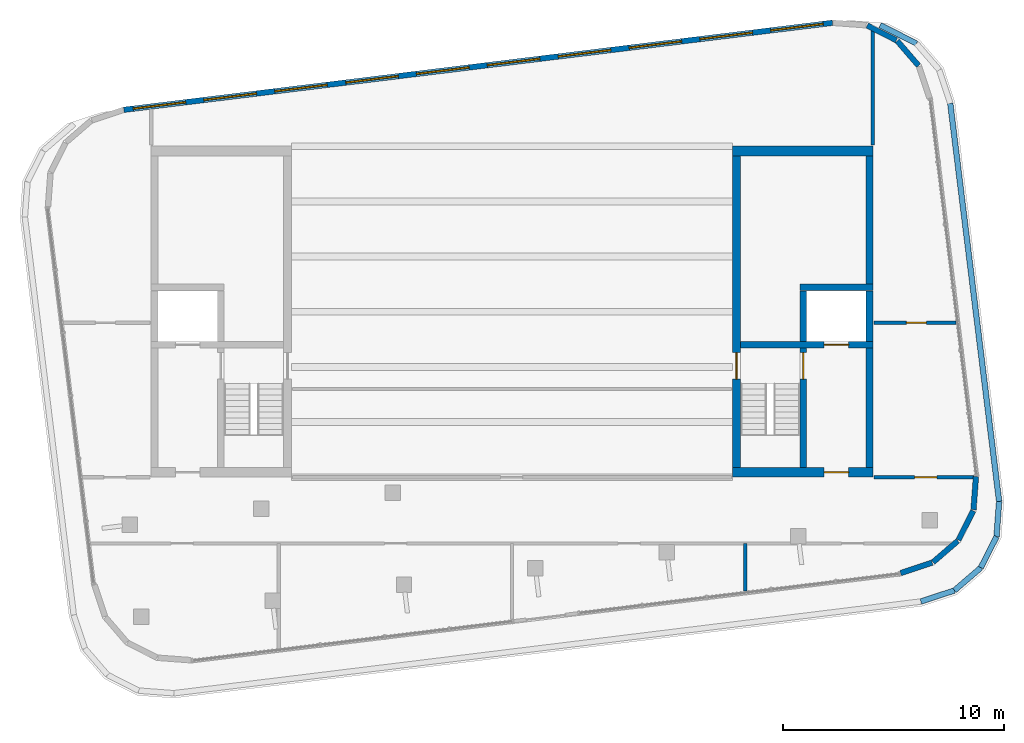
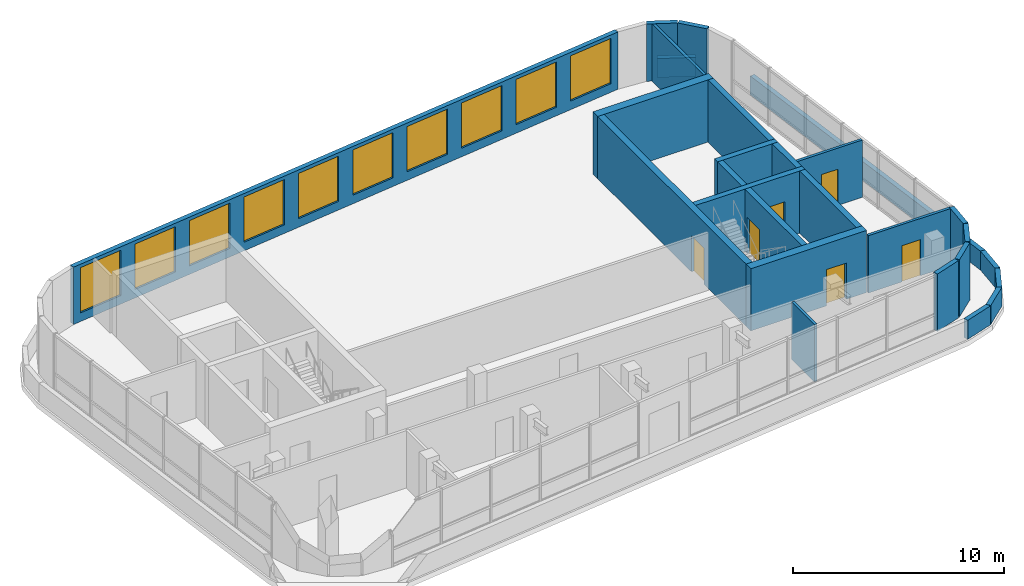
# One storey, part 6 of 8: 27 walls, 10 windows, 6 doors, 16 openings.
"""IFC4 building model written with IfcOpenShell, lengths in metres."""

from ifc_helpers import new_model, si_unit, direction, frame, frame_2d, origin, place, context, subcontext, project, spatial, rectangle, extrude, material, layer, layer_set, type_object, element, fill, save


model = new_model("IFC4")

# Units and contexts
model_context = context("Model", 3, precision=1e-05, world=origin(), true_north=direction((0.0, 1.0)))
body_context = subcontext(model_context, "Body", "Model", "MODEL_VIEW")
ifc_project = project(units=[si_unit("LENGTHUNIT", "METRE"), si_unit("AREAUNIT", "SQUARE_METRE"), si_unit("VOLUMEUNIT", "CUBIC_METRE"), si_unit("PLANEANGLEUNIT", "RADIAN"), si_unit("MASSUNIT", "GRAM", prefix="KILO")], contexts=[model_context])

# Site, building, storey
site_placement = place(None, origin())
site = spatial("IfcSite", under=ifc_project, at=site_placement, CompositionType="ELEMENT")
building_placement = place(site_placement, origin())
building = spatial("IfcBuilding", under=site, at=building_placement, Name="Torana Hotel and Residences", CompositionType="ELEMENT")
storey_placement = place(building_placement, frame((0.0, 0.0, 350.199951171875)))
storey = spatial("IfcBuildingStorey", under=building, at=storey_placement, Name="C2", CompositionType="ELEMENT", Elevation=350.199951171875)

# Walls
ifc_material_1 = material(Name="Concrete C50/60", Category="concrete")
ifc_layer_1 = layer(ifc_material_1, 0.300048828125)
ifc_layer_set_1 = layer_set([ifc_layer_1], Name="CORE WALL 300 C50/60")
wall_type_1 = type_object("IfcWallType", Name="CORE WALL 300 C50/60", PredefinedType="SHEAR", material=ifc_layer_set_1)
wall_1_placement = place(storey_placement, frame((16.199951171875, -6.25, 0.0), z_axis=(0.0, 0.0, 1.0), x_axis=(0.0, 1.0, 0.0)))
element("IfcWall", 1, at=wall_1_placement, inside=storey, type_object=wall_type_1, Name="Core wall E outer-n", PredefinedType="SHEAR", context=body_context, shape_type="SweptSolid", body=[
    extrude(rectangle(XDim=5.800048828125, YDim=0.300048828125, at=frame_2d((2.89990234375, 0.0))), origin(), (0.0, 0.0, 1.0), 3.60009765625),
])
wall_2_placement = place(storey_placement, frame((16.199951171875, -14.550048828125, 0.0), z_axis=(0.0, 0.0, 1.0), x_axis=(0.0, 1.0, 0.0)))
element("IfcWall", 2, at=wall_2_placement, inside=storey, type_object=wall_type_1, Name="Core wall E outer-s", PredefinedType="SHEAR", context=body_context, shape_type="SweptSolid", body=[
    extrude(rectangle(XDim=5.400146484375, YDim=0.300048828125, at=frame_2d((2.7001953125, 0.0))), origin(), (0.0, 0.0, 1.0), 3.60009765625),
])

# Wall, opening, door
wall_3_placement = place(storey_placement, frame((10.35009765625, -9.0, 0.0), z_axis=(0.0, 0.0, 1.0), x_axis=(1.0, 0.0, 0.0)))
wall_3 = element("IfcWall", 3, at=wall_3_placement, inside=storey, type_object=wall_type_1, Name="Core wall E band", PredefinedType="SHEAR", context=body_context, shape_type="SweptSolid", body=[
    extrude(rectangle(XDim=6.0, YDim=0.300048828125, at=frame_2d((3.0, 0.0))), origin(), (0.0, 0.0, 1.0), 3.60009765625),
])
opening_1_placement = place(wall_3_placement, frame((3.800048828125, 0.0, 0.0)))
opening_1 = element("IfcOpeningElement", 4, at=opening_1_placement, cuts=wall_3, Name="Opening LD", PredefinedType="OPENING", context=body_context, shape_type="SweptSolid", body=[
    extrude(rectangle(XDim=1.10009765625, YDim=2.10009765625, at=frame_2d((0.550048828125, 1.050048828125))), frame((0.0, 0.159912109375, 0.0), z_axis=(0.0, -1.0, 0.0), x_axis=(1.0, 0.0, 0.0)), (0.0, 0.0, 1.0), 0.320068359375),
])
ifc_material_2 = material(Name="Stainless steel 316", Category="steel")
door_type_1 = type_object("IfcDoorType", Name="LIFT LANDING DOOR LD 1100x2100", OperationType="DOUBLE_DOOR_SLIDING", PredefinedType="USERDEFINED", material=ifc_material_2)
door_1_placement = place(opening_1_placement, origin())
door_1 = element("IfcDoor", 5, at=door_1_placement, inside=storey, type_object=door_type_1, Name="Lift landing door FF2 C2", ObjectType="LIFT LANDING DOOR", OperationType="DOUBLE_DOOR_SLIDING", OverallHeight=2.10009765625, OverallWidth=1.10009765625, PredefinedType="USERDEFINED", context=body_context, shape_type="SweptSolid", body=[
    extrude(rectangle(XDim=1.10009765625, YDim=2.10009765625, at=frame_2d((0.550048828125, 1.050048828125))), frame((0.0, 0.02490234375, 0.0), z_axis=(0.0, -1.0, 0.0), x_axis=(1.0, 0.0, 0.0)), (0.0, 0.0, 1.0), 0.050048828125),
])
fill(opening_1, door_1)

wall_4_placement = place(storey_placement, frame((13.199951171875, -14.550048828125, 0.0), z_axis=(0.0, 0.0, 1.0), x_axis=(0.0, 1.0, 0.0)))
wall_4 = element("IfcWall", 6, at=wall_4_placement, inside=storey, type_object=wall_type_1, Name="Core wall E x3.05-band", PredefinedType="SHEAR", context=body_context, shape_type="SweptSolid", body=[
    extrude(rectangle(XDim=5.400146484375, YDim=0.300048828125, at=frame_2d((2.7001953125, 0.0))), origin(), (0.0, 0.0, 1.0), 3.60009765625),
])
opening_2_placement = place(wall_4_placement, frame((4.0, 0.0, 0.0)))
opening_2 = element("IfcOpeningElement", 7, at=opening_2_placement, cuts=wall_4, Name="Opening C2-06", PredefinedType="OPENING", context=body_context, shape_type="SweptSolid", body=[
    extrude(rectangle(XDim=1.199951171875, YDim=2.10009765625, at=frame_2d((0.60009765625, 1.050048828125))), frame((0.0, 0.159912109375, 0.0), z_axis=(0.0, -1.0, 0.0), x_axis=(1.0, 0.0, 0.0)), (0.0, 0.0, 1.0), 0.320068359375),
])
ifc_material_3 = material(Name="Steel S235", Category="steel")
door_type_2 = type_object("IfcDoorType", Name="STAIR FIRE DOOR D3 1200x2100", OperationType="SINGLE_SWING_LEFT", PredefinedType="DOOR", material=ifc_material_3)
door_2_placement = place(opening_2_placement, origin())
door_2 = element("IfcDoor", 8, at=door_2_placement, inside=storey, type_object=door_type_2, Name="Stair-A-lobby door C2", OperationType="SINGLE_SWING_LEFT", OverallHeight=2.10009765625, OverallWidth=1.199951171875, PredefinedType="DOOR", context=body_context, shape_type="SweptSolid", body=[
    extrude(rectangle(XDim=1.199951171875, YDim=2.10009765625, at=frame_2d((0.60009765625, 1.050048828125))), frame((0.0, 0.02490234375, 0.0), z_axis=(0.0, -1.0, 0.0), x_axis=(1.0, 0.0, 0.0)), (0.0, 0.0, 1.0), 0.050048828125),
])
fill(opening_2, door_2)

# Walls
wall_5_placement = place(storey_placement, frame((13.050048828125, -6.39990234375, 0.0), z_axis=(0.0, 0.0, 1.0), x_axis=(1.0, 0.0, 0.0)))
element("IfcWall", 9, at=wall_5_placement, inside=storey, type_object=wall_type_1, Name="Core wall E row-S", PredefinedType="SHEAR", context=body_context, shape_type="SweptSolid", body=[
    extrude(rectangle(XDim=3.300048828125, YDim=0.300048828125, at=frame_2d((1.64990234375, 0.0))), origin(), (0.0, 0.0, 1.0), 3.60009765625),
])
for number, where, z_axis, x_axis, name in (
    (10, (13.199951171875, -8.85009765625, 0.0), (0.0, 0.0, 1.0), (0.0, 1.0, 0.0), "Core wall E x3.05-S"),
    (11, (16.199951171875, -8.85009765625, 0.0), (0.0, 0.0, 1.0), (0.0, 1.0, 0.0), "Core wall E x6.05-S"),
):
    element("IfcWall", number, at=place(storey_placement, frame(where, z_axis=z_axis, x_axis=x_axis)), inside=storey, type_object=wall_type_1, Name=name, PredefinedType="SHEAR", context=body_context, shape_type="SweptSolid", body=[
        extrude(rectangle(XDim=2.300048828125, YDim=0.300048828125, at=frame_2d((1.14990234375, 0.0))), origin(), (0.0, 0.0, 1.0), 3.60009765625),
    ])

# Wall, opening, door
ifc_material_4 = material(Name="Concrete C50/60", Category="concrete")
ifc_layer_2 = layer(ifc_material_4, 0.35009765625)
ifc_layer_set_2 = layer_set([ifc_layer_2], Name="CORE WALL 350 C50/60")
wall_type_2 = type_object("IfcWallType", Name="CORE WALL 350 C50/60", PredefinedType="SHEAR", material=ifc_layer_set_2)
wall_6_placement = place(storey_placement, frame((10.175048828125, -14.550048828125, 0.0), z_axis=(0.0, 0.0, 1.0), x_axis=(0.0, 1.0, 0.0)))
wall_6 = element("IfcWall", 12, at=wall_6_placement, inside=storey, type_object=wall_type_2, Name="Core wall E arch", PredefinedType="SHEAR", context=body_context, shape_type="SweptSolid", body=[
    extrude(rectangle(XDim=14.10009765625, YDim=0.35009765625, at=frame_2d((7.050048828125, 0.0))), origin(), (0.0, 0.0, 1.0), 3.60009765625),
])
opening_3_placement = place(wall_6_placement, frame((4.0, 0.0, 0.0)))
opening_3 = element("IfcOpeningElement", 13, at=opening_3_placement, cuts=wall_6, Name="Opening C2-04", PredefinedType="OPENING", context=body_context, shape_type="SweptSolid", body=[
    extrude(rectangle(XDim=1.199951171875, YDim=2.10009765625, at=frame_2d((0.60009765625, 1.050048828125))), frame((0.0, 0.18505859375, 0.0), z_axis=(0.0, -1.0, 0.0), x_axis=(1.0, 0.0, 0.0)), (0.0, 0.0, 1.0), 0.3701171875),
])
door_3_placement = place(opening_3_placement, frame((0.60009765625, 0.0, 0.0), z_axis=(0.0, 0.0, 1.0), x_axis=(-1.0, 0.0, 0.0)))
door_3 = element("IfcDoor", 14, at=door_3_placement, inside=storey, type_object=door_type_2, Name="Stair-A door C2", OperationType="SINGLE_SWING_RIGHT", OverallHeight=2.10009765625, OverallWidth=1.199951171875, PredefinedType="DOOR", context=body_context, shape_type="SweptSolid", body=[
    extrude(rectangle(XDim=1.199951171875, YDim=2.10009765625, at=frame_2d((0.0, 1.050048828125))), frame((0.0, -0.02490234375, 0.0), z_axis=(0.0, 1.0, 0.0), x_axis=(-1.0, 0.0, 0.0)), (0.0, 0.0, 1.0), 0.050048828125),
])
fill(opening_3, door_3)

# Wall
ifc_material_5 = material(Name="Concrete C50/60", Category="concrete")
ifc_layer_3 = layer(ifc_material_5, 0.449951171875)
ifc_layer_set_3 = layer_set([ifc_layer_3], Name="CORE WALL 450 C50/60")
wall_type_3 = type_object("IfcWallType", Name="CORE WALL 450 C50/60", PredefinedType="SHEAR", material=ifc_layer_set_3)
wall_7_placement = place(storey_placement, frame((10.0, -0.22509765625, 0.0), z_axis=(0.0, 0.0, 1.0), x_axis=(1.0, 0.0, 0.0)))
element("IfcWall", 15, at=wall_7_placement, inside=storey, type_object=wall_type_3, Name="Core wall E rear", PredefinedType="SHEAR", context=body_context, shape_type="SweptSolid", body=[
    extrude(rectangle(XDim=6.35009765625, YDim=0.449951171875, at=frame_2d((3.175048828125, 0.0))), origin(), (0.0, 0.0, 1.0), 3.60009765625),
])

# Wall, opening, door
wall_8_placement = place(storey_placement, frame((10.0, -14.77490234375, 0.0), z_axis=(0.0, 0.0, 1.0), x_axis=(1.0, 0.0, 0.0)))
wall_8 = element("IfcWall", 16, at=wall_8_placement, inside=storey, type_object=wall_type_3, Name="Core wall E front", PredefinedType="SHEAR", context=body_context, shape_type="SweptSolid", body=[
    extrude(rectangle(XDim=6.35009765625, YDim=0.449951171875, at=frame_2d((3.175048828125, 0.0))), origin(), (0.0, 0.0, 1.0), 3.60009765625),
])
opening_4_placement = place(wall_8_placement, frame((4.14990234375, 0.0, 0.0)))
opening_4 = element("IfcOpeningElement", 17, at=opening_4_placement, cuts=wall_8, Name="Opening C2-05", PredefinedType="OPENING", context=body_context, shape_type="SweptSolid", body=[
    extrude(rectangle(XDim=1.10009765625, YDim=2.10009765625, at=frame_2d((0.550048828125, 1.050048828125))), frame((0.0, 0.23486328125, 0.0), z_axis=(0.0, -1.0, 0.0), x_axis=(1.0, 0.0, 0.0)), (0.0, 0.0, 1.0), 0.469970703125),
])
ifc_material_6 = material(Name="Steel S235", Category="steel")
door_type_3 = type_object("IfcDoorType", Name="FIRE-FIGHTING LOBBY DOOR D8 1100x2100", OperationType="SINGLE_SWING_LEFT", PredefinedType="DOOR", material=ifc_material_6)
door_4_placement = place(opening_4_placement, origin())
door_4 = element("IfcDoor", 18, at=door_4_placement, inside=storey, type_object=door_type_3, Name="FF-lobby door C2", OperationType="SINGLE_SWING_RIGHT", OverallHeight=2.10009765625, OverallWidth=1.10009765625, PredefinedType="DOOR", context=body_context, shape_type="SweptSolid", body=[
    extrude(rectangle(XDim=1.10009765625, YDim=2.10009765625, at=frame_2d((0.550048828125, 1.050048828125))), frame((0.0, 0.02490234375, 0.0), z_axis=(0.0, -1.0, 0.0), x_axis=(1.0, 0.0, 0.0)), (0.0, 0.0, 1.0), 0.050048828125),
])
fill(opening_4, door_4)

# Walls
ifc_material_7 = material(Name="Aluminium louvre wall", Category="aluminium")
ifc_layer_4 = layer(ifc_material_7, 0.25)
ifc_layer_set_4 = layer_set([ifc_layer_4], Name="EW3 LOUVRE WALL 250")
wall_type_4 = type_object("IfcWallType", Name="EW3 LOUVRE WALL 250", PredefinedType="SOLIDWALL", material=ifc_layer_set_4)
wall_9_placement = place(storey_placement, frame((18.424072265625, 3.650390625, 0.0), z_axis=(0.0, 0.0, 1.0), x_axis=(-0.65281239985, 0.757519617305, 0.0)))
element("IfcWall", 19, at=wall_9_placement, inside=storey, type_object=wall_type_4, Name="Louvre wall C2 e0.1", PredefinedType="SOLIDWALL", context=body_context, shape_type="SweptSolid", body=[
    extrude(rectangle(XDim=1.480712890625, YDim=0.25, at=frame_2d((0.740234375, 0.0))), origin(), (0.0, 0.0, 1.0), 3.320068359375),
])
wall_10_placement = place(storey_placement, frame((17.419189453125, 4.802001953125, 0.0), z_axis=(0.0, 0.0, 1.0), x_axis=(-0.893004966714, 0.450046808036, 0.0)))
element("IfcWall", 20, at=wall_10_placement, inside=storey, type_object=wall_type_4, Name="Louvre wall C2 e0.2", PredefinedType="SOLIDWALL", context=body_context, shape_type="SweptSolid", body=[
    extrude(rectangle(XDim=1.48095703125, YDim=0.25, at=frame_2d((0.740478515625, 0.0))), origin(), (0.0, 0.0, 1.0), 3.320068359375),
])

# Wall, openings, windows
wall_11_placement = place(storey_placement, frame((14.523681640625, 5.592529296875, 0.0), z_axis=(0.0, 0.0, 1.0), x_axis=(-0.992546946727, -0.121862867777, 0.0)))
wall_11 = element("IfcWall", 21, at=wall_11_placement, inside=storey, type_object=wall_type_4, Name="Louvre wall C2 e0.4", PredefinedType="SOLIDWALL", context=body_context, shape_type="SweptSolid", body=[
    extrude(rectangle(XDim=32.35107421875, YDim=0.25, at=frame_2d((16.175537109375, 0.0))), origin(), (0.0, 0.0, 1.0), 3.320068359375),
])
opening_5_placement = place(wall_11_placement, frame((0.41748046875, 0.0, 0.498046875)))
opening_5 = element("IfcOpeningElement", 22, at=opening_5_placement, cuts=wall_11, Name="Opening LV2", PredefinedType="OPENING", context=body_context, shape_type="SweptSolid", body=[
    extrude(rectangle(XDim=2.39990234375, YDim=2.6220703125, at=frame_2d((1.199951171875, 1.31103515625))), frame((0.0, 0.135009765625, 0.0), z_axis=(0.0, -1.0, 0.0), x_axis=(1.0, 0.0, 0.0)), (0.0, 0.0, 1.0), 0.27001953125),
])
opening_6_placement = place(wall_11_placement, frame((3.652587890625, 0.0, 0.498046875)))
opening_6 = element("IfcOpeningElement", 23, at=opening_6_placement, cuts=wall_11, Name="Opening LV2", PredefinedType="OPENING", context=body_context, shape_type="SweptSolid", body=[
    extrude(rectangle(XDim=2.39990234375, YDim=2.6220703125, at=frame_2d((1.199951171875, 1.31103515625))), frame((0.0, 0.135009765625, 0.0), z_axis=(0.0, -1.0, 0.0), x_axis=(1.0, 0.0, 0.0)), (0.0, 0.0, 1.0), 0.27001953125),
])
opening_7_placement = place(wall_11_placement, frame((6.8876953125, 0.0, 0.498046875)))
opening_7 = element("IfcOpeningElement", 24, at=opening_7_placement, cuts=wall_11, Name="Opening LV2", PredefinedType="OPENING", context=body_context, shape_type="SweptSolid", body=[
    extrude(rectangle(XDim=2.39990234375, YDim=2.6220703125, at=frame_2d((1.199951171875, 1.31103515625))), frame((0.0, 0.135009765625, 0.0), z_axis=(0.0, -1.0, 0.0), x_axis=(1.0, 0.0, 0.0)), (0.0, 0.0, 1.0), 0.27001953125),
])
opening_8_placement = place(wall_11_placement, frame((10.122802734375, 0.0, 0.498046875)))
opening_8 = element("IfcOpeningElement", 25, at=opening_8_placement, cuts=wall_11, Name="Opening LV2", PredefinedType="OPENING", context=body_context, shape_type="SweptSolid", body=[
    extrude(rectangle(XDim=2.39990234375, YDim=2.6220703125, at=frame_2d((1.199951171875, 1.31103515625))), frame((0.0, 0.135009765625, 0.0), z_axis=(0.0, -1.0, 0.0), x_axis=(1.0, 0.0, 0.0)), (0.0, 0.0, 1.0), 0.27001953125),
])
opening_9_placement = place(wall_11_placement, frame((13.35791015625, 0.0, 0.498046875)))
opening_9 = element("IfcOpeningElement", 26, at=opening_9_placement, cuts=wall_11, Name="Opening LV2", PredefinedType="OPENING", context=body_context, shape_type="SweptSolid", body=[
    extrude(rectangle(XDim=2.39990234375, YDim=2.6220703125, at=frame_2d((1.199951171875, 1.31103515625))), frame((0.0, 0.135009765625, 0.0), z_axis=(0.0, -1.0, 0.0), x_axis=(1.0, 0.0, 0.0)), (0.0, 0.0, 1.0), 0.27001953125),
])
opening_10_placement = place(wall_11_placement, frame((16.593017578125, 0.0, 0.498046875)))
opening_10 = element("IfcOpeningElement", 27, at=opening_10_placement, cuts=wall_11, Name="Opening LV2", PredefinedType="OPENING", context=body_context, shape_type="SweptSolid", body=[
    extrude(rectangle(XDim=2.39990234375, YDim=2.6220703125, at=frame_2d((1.199951171875, 1.31103515625))), frame((0.0, 0.135009765625, 0.0), z_axis=(0.0, -1.0, 0.0), x_axis=(1.0, 0.0, 0.0)), (0.0, 0.0, 1.0), 0.27001953125),
])
opening_11_placement = place(wall_11_placement, frame((19.828125, 0.0, 0.498046875)))
opening_11 = element("IfcOpeningElement", 28, at=opening_11_placement, cuts=wall_11, Name="Opening LV2", PredefinedType="OPENING", context=body_context, shape_type="SweptSolid", body=[
    extrude(rectangle(XDim=2.39990234375, YDim=2.6220703125, at=frame_2d((1.199951171875, 1.31103515625))), frame((0.0, 0.135009765625, 0.0), z_axis=(0.0, -1.0, 0.0), x_axis=(1.0, 0.0, 0.0)), (0.0, 0.0, 1.0), 0.27001953125),
])
opening_12_placement = place(wall_11_placement, frame((23.06298828125, 0.0, 0.498046875)))
opening_12 = element("IfcOpeningElement", 29, at=opening_12_placement, cuts=wall_11, Name="Opening LV2", PredefinedType="OPENING", context=body_context, shape_type="SweptSolid", body=[
    extrude(rectangle(XDim=2.39990234375, YDim=2.6220703125, at=frame_2d((1.199951171875, 1.31103515625))), frame((0.0, 0.135009765625, 0.0), z_axis=(0.0, -1.0, 0.0), x_axis=(1.0, 0.0, 0.0)), (0.0, 0.0, 1.0), 0.27001953125),
])
opening_13_placement = place(wall_11_placement, frame((26.298095703125, 0.0, 0.498046875)))
opening_13 = element("IfcOpeningElement", 30, at=opening_13_placement, cuts=wall_11, Name="Opening LV2", PredefinedType="OPENING", context=body_context, shape_type="SweptSolid", body=[
    extrude(rectangle(XDim=2.39990234375, YDim=2.6220703125, at=frame_2d((1.199951171875, 1.31103515625))), frame((0.0, 0.135009765625, 0.0), z_axis=(0.0, -1.0, 0.0), x_axis=(1.0, 0.0, 0.0)), (0.0, 0.0, 1.0), 0.27001953125),
])
opening_14_placement = place(wall_11_placement, frame((29.533203125, 0.0, 0.498046875)))
opening_14 = element("IfcOpeningElement", 31, at=opening_14_placement, cuts=wall_11, Name="Opening LV2", PredefinedType="OPENING", context=body_context, shape_type="SweptSolid", body=[
    extrude(rectangle(XDim=2.39990234375, YDim=2.6220703125, at=frame_2d((1.199951171875, 1.31103515625))), frame((0.0, 0.135009765625, 0.0), z_axis=(0.0, -1.0, 0.0), x_axis=(1.0, 0.0, 0.0)), (0.0, 0.0, 1.0), 0.27001953125),
])
ifc_material_8 = material(Name="Aluminium louvre blades", Category="aluminium")
window_type = type_object("IfcWindowType", Name="LV2 LOUVRE 2400x3600", PartitioningType="SINGLE_PANEL", PredefinedType="USERDEFINED", material=ifc_material_8)
window_1_placement = place(opening_5_placement, origin())
window_1 = element("IfcWindow", 32, at=window_1_placement, inside=storey, type_object=window_type, Name="Louvre C2", ObjectType="LOUVRE", OverallHeight=2.6220703125, OverallWidth=2.39990234375, PartitioningType="SINGLE_PANEL", PredefinedType="USERDEFINED", context=body_context, shape_type="SweptSolid", body=[
    extrude(rectangle(XDim=2.39990234375, YDim=2.6220703125, at=frame_2d((1.199951171875, 1.31103515625))), frame((0.0, 0.030029296875, 0.0), z_axis=(0.0, -1.0, 0.0), x_axis=(1.0, 0.0, 0.0)), (0.0, 0.0, 1.0), 0.06005859375),
])
fill(opening_5, window_1)
window_2_placement = place(opening_6_placement, origin())
window_2 = element("IfcWindow", 33, at=window_2_placement, inside=storey, type_object=window_type, Name="Louvre C2", ObjectType="LOUVRE", OverallHeight=2.6220703125, OverallWidth=2.39990234375, PartitioningType="SINGLE_PANEL", PredefinedType="USERDEFINED", context=body_context, shape_type="SweptSolid", body=[
    extrude(rectangle(XDim=2.39990234375, YDim=2.6220703125, at=frame_2d((1.199951171875, 1.31103515625))), frame((0.0, 0.030029296875, 0.0), z_axis=(0.0, -1.0, 0.0), x_axis=(1.0, 0.0, 0.0)), (0.0, 0.0, 1.0), 0.06005859375),
])
fill(opening_6, window_2)
window_3_placement = place(opening_7_placement, origin())
window_3 = element("IfcWindow", 34, at=window_3_placement, inside=storey, type_object=window_type, Name="Louvre C2", ObjectType="LOUVRE", OverallHeight=2.6220703125, OverallWidth=2.39990234375, PartitioningType="SINGLE_PANEL", PredefinedType="USERDEFINED", context=body_context, shape_type="SweptSolid", body=[
    extrude(rectangle(XDim=2.39990234375, YDim=2.6220703125, at=frame_2d((1.199951171875, 1.31103515625))), frame((0.0, 0.030029296875, 0.0), z_axis=(0.0, -1.0, 0.0), x_axis=(1.0, 0.0, 0.0)), (0.0, 0.0, 1.0), 0.06005859375),
])
fill(opening_7, window_3)
window_4_placement = place(opening_8_placement, origin())
window_4 = element("IfcWindow", 35, at=window_4_placement, inside=storey, type_object=window_type, Name="Louvre C2", ObjectType="LOUVRE", OverallHeight=2.6220703125, OverallWidth=2.39990234375, PartitioningType="SINGLE_PANEL", PredefinedType="USERDEFINED", context=body_context, shape_type="SweptSolid", body=[
    extrude(rectangle(XDim=2.39990234375, YDim=2.6220703125, at=frame_2d((1.199951171875, 1.31103515625))), frame((0.0, 0.030029296875, 0.0), z_axis=(0.0, -1.0, 0.0), x_axis=(1.0, 0.0, 0.0)), (0.0, 0.0, 1.0), 0.06005859375),
])
fill(opening_8, window_4)
window_5_placement = place(opening_9_placement, origin())
window_5 = element("IfcWindow", 36, at=window_5_placement, inside=storey, type_object=window_type, Name="Louvre C2", ObjectType="LOUVRE", OverallHeight=2.6220703125, OverallWidth=2.39990234375, PartitioningType="SINGLE_PANEL", PredefinedType="USERDEFINED", context=body_context, shape_type="SweptSolid", body=[
    extrude(rectangle(XDim=2.39990234375, YDim=2.6220703125, at=frame_2d((1.199951171875, 1.31103515625))), frame((0.0, 0.030029296875, 0.0), z_axis=(0.0, -1.0, 0.0), x_axis=(1.0, 0.0, 0.0)), (0.0, 0.0, 1.0), 0.06005859375),
])
fill(opening_9, window_5)
window_6_placement = place(opening_10_placement, origin())
window_6 = element("IfcWindow", 37, at=window_6_placement, inside=storey, type_object=window_type, Name="Louvre C2", ObjectType="LOUVRE", OverallHeight=2.6220703125, OverallWidth=2.39990234375, PartitioningType="SINGLE_PANEL", PredefinedType="USERDEFINED", context=body_context, shape_type="SweptSolid", body=[
    extrude(rectangle(XDim=2.39990234375, YDim=2.6220703125, at=frame_2d((1.199951171875, 1.31103515625))), frame((0.0, 0.030029296875, 0.0), z_axis=(0.0, -1.0, 0.0), x_axis=(1.0, 0.0, 0.0)), (0.0, 0.0, 1.0), 0.06005859375),
])
fill(opening_10, window_6)
window_7_placement = place(opening_11_placement, origin())
window_7 = element("IfcWindow", 38, at=window_7_placement, inside=storey, type_object=window_type, Name="Louvre C2", ObjectType="LOUVRE", OverallHeight=2.6220703125, OverallWidth=2.39990234375, PartitioningType="SINGLE_PANEL", PredefinedType="USERDEFINED", context=body_context, shape_type="SweptSolid", body=[
    extrude(rectangle(XDim=2.39990234375, YDim=2.6220703125, at=frame_2d((1.199951171875, 1.31103515625))), frame((0.0, 0.030029296875, 0.0), z_axis=(0.0, -1.0, 0.0), x_axis=(1.0, 0.0, 0.0)), (0.0, 0.0, 1.0), 0.06005859375),
])
fill(opening_11, window_7)
window_8_placement = place(opening_12_placement, origin())
window_8 = element("IfcWindow", 39, at=window_8_placement, inside=storey, type_object=window_type, Name="Louvre C2", ObjectType="LOUVRE", OverallHeight=2.6220703125, OverallWidth=2.39990234375, PartitioningType="SINGLE_PANEL", PredefinedType="USERDEFINED", context=body_context, shape_type="SweptSolid", body=[
    extrude(rectangle(XDim=2.39990234375, YDim=2.6220703125, at=frame_2d((1.199951171875, 1.31103515625))), frame((0.0, 0.030029296875, 0.0), z_axis=(0.0, -1.0, 0.0), x_axis=(1.0, 0.0, 0.0)), (0.0, 0.0, 1.0), 0.06005859375),
])
fill(opening_12, window_8)
window_9_placement = place(opening_13_placement, origin())
window_9 = element("IfcWindow", 40, at=window_9_placement, inside=storey, type_object=window_type, Name="Louvre C2", ObjectType="LOUVRE", OverallHeight=2.6220703125, OverallWidth=2.39990234375, PartitioningType="SINGLE_PANEL", PredefinedType="USERDEFINED", context=body_context, shape_type="SweptSolid", body=[
    extrude(rectangle(XDim=2.39990234375, YDim=2.6220703125, at=frame_2d((1.199951171875, 1.31103515625))), frame((0.0, 0.030029296875, 0.0), z_axis=(0.0, -1.0, 0.0), x_axis=(1.0, 0.0, 0.0)), (0.0, 0.0, 1.0), 0.06005859375),
])
fill(opening_13, window_9)
window_10_placement = place(opening_14_placement, origin())
window_10 = element("IfcWindow", 41, at=window_10_placement, inside=storey, type_object=window_type, Name="Louvre C2", ObjectType="LOUVRE", OverallHeight=2.6220703125, OverallWidth=2.39990234375, PartitioningType="SINGLE_PANEL", PredefinedType="USERDEFINED", context=body_context, shape_type="SweptSolid", body=[
    extrude(rectangle(XDim=2.39990234375, YDim=2.6220703125, at=frame_2d((1.199951171875, 1.31103515625))), frame((0.0, 0.030029296875, 0.0), z_axis=(0.0, -1.0, 0.0), x_axis=(1.0, 0.0, 0.0)), (0.0, 0.0, 1.0), 0.06005859375),
])
fill(opening_14, window_10)

# Walls
wall_12_placement = place(storey_placement, frame((17.610107421875, -19.3447265625, 0.0), z_axis=(0.0, 0.0, 1.0), x_axis=(0.949715953316, 0.313112772043, 0.0)))
element("IfcWall", 42, at=wall_12_placement, inside=storey, type_object=wall_type_4, Name="Louvre wall C2 e0.15", PredefinedType="SOLIDWALL", context=body_context, shape_type="SweptSolid", body=[
    extrude(rectangle(XDim=1.505615234375, YDim=0.25, at=frame_2d((0.7529296875, 0.0))), origin(), (0.0, 0.0, 1.0), 3.320068359375),
])
for number, where, z_axis, x_axis, name in (
    (43, (19.08251953125, -18.84912109375, 0.0), (0.0, 0.0, 1.0), (0.757589875715, 0.652730863538, 0.0), "Louvre wall C2 e0.16"),
    (44, (20.234375, -17.843994140625, 0.0), (0.0, 0.0, 1.0), (0.450113069712, 0.892971569802, 0.0), "Louvre wall C2 e0.17"),
):
    element("IfcWall", number, at=place(storey_placement, frame(where, z_axis=z_axis, x_axis=x_axis)), inside=storey, type_object=wall_type_4, Name=name, PredefinedType="SOLIDWALL", context=body_context, shape_type="SweptSolid", body=[
        extrude(rectangle(XDim=1.480712890625, YDim=0.25, at=frame_2d((0.740234375, 0.0))), origin(), (0.0, 0.0, 1.0), 3.320068359375),
    ])
wall_13_placement = place(storey_placement, frame((20.913818359375, -16.474853515625, 0.0), z_axis=(0.0, 0.0, 1.0), x_axis=(0.074092647143, 0.997251362315, 0.0)))
element("IfcWall", 45, at=wall_13_placement, inside=storey, type_object=wall_type_4, Name="Louvre wall C2 e0.18", PredefinedType="SOLIDWALL", context=body_context, shape_type="SweptSolid", body=[
    extrude(rectangle(XDim=1.505859375, YDim=0.25, at=frame_2d((0.7529296875, 0.0))), origin(), (0.0, 0.0, 1.0), 3.320068359375),
])

# Wall, opening, door
ifc_material_9 = material(Name="Gypsum plaster")
ifc_layer_5 = layer(ifc_material_9, 0.014892578125, Name="Plaster", Category="finish")
ifc_material_10 = material(Name="Concrete blockwork", Category="masonry")
ifc_layer_6 = layer(ifc_material_10, 0.1201171875, Name="Blockwork", Category="structure")
ifc_layer_7 = layer(ifc_material_9, 0.014892578125, Name="Plaster", Category="finish")
ifc_layer_set_5 = layer_set([ifc_layer_5, ifc_layer_6, ifc_layer_7], Name="FIRE PARTITION 150 BLOCKWORK")
wall_type_5 = type_object("IfcWallType", Name="FIRE PARTITION 150 BLOCKWORK", PredefinedType="PARTITIONING", material=ifc_layer_set_5)
wall_14_placement = place(storey_placement, frame((16.39990234375, -15.0, 0.0), z_axis=(0.0, 0.0, 1.0), x_axis=(1.0, 0.0, 0.0)))
wall_14 = element("IfcWall", 46, at=wall_14_placement, inside=storey, type_object=wall_type_5, Name="Partition C2", PredefinedType="PARTITIONING", context=body_context, shape_type="SweptSolid", body=[
    extrude(rectangle(XDim=4.568603515625, YDim=0.14990234375, at=frame_2d((2.2841796875, 0.0))), origin(), (0.0, 0.0, 1.0), 3.320068359375),
])
opening_15_placement = place(wall_14_placement, frame((1.85009765625, 0.0, 0.0)))
opening_15 = element("IfcOpeningElement", 47, at=opening_15_placement, cuts=wall_14, Name="Opening C2-14", PredefinedType="OPENING", context=body_context, shape_type="SweptSolid", body=[
    extrude(rectangle(XDim=1.0, YDim=2.10009765625, at=frame_2d((0.5, 1.050048828125))), frame((0.0, 0.0849609375, 0.0), z_axis=(0.0, -1.0, 0.0), x_axis=(1.0, 0.0, 0.0)), (0.0, 0.0, 1.0), 0.169921875),
])
ifc_material_11 = material(Name="Steel S235", Category="steel")
door_type_4 = type_object("IfcDoorType", Name="CORE ROOM FIRE DOOR D14 1000x2100", OperationType="SINGLE_SWING_LEFT", PredefinedType="DOOR", material=ifc_material_11)
door_5_placement = place(opening_15_placement, origin())
door_5 = element("IfcDoor", 48, at=door_5_placement, inside=storey, type_object=door_type_4, Name="Door C2", OperationType="SINGLE_SWING_RIGHT", OverallHeight=2.10009765625, OverallWidth=1.0, PredefinedType="DOOR", context=body_context, shape_type="SweptSolid", body=[
    extrude(rectangle(XDim=1.0, YDim=2.10009765625, at=frame_2d((0.5, 1.050048828125))), frame((0.0, 0.02490234375, 0.0), z_axis=(0.0, -1.0, 0.0), x_axis=(1.0, 0.0, 0.0)), (0.0, 0.0, 1.0), 0.050048828125),
])
fill(opening_15, door_5)

# Walls
ifc_material_12 = material(Name="Gypsum plasterboard")
ifc_layer_8 = layer(ifc_material_12, 0.012451171875, Name="Plasterboard", Category="finish")
ifc_layer_9 = layer(ifc_material_12, 0.012451171875, Name="Plasterboard", Category="finish")
ifc_material_13 = material(Name="Steel S280GD", Category="steel")
ifc_layer_10 = layer(ifc_material_13, 0.10009765625, Name="Steel studs with mineral wool", Category="insulation")
ifc_layer_11 = layer(ifc_material_12, 0.012451171875, Name="Plasterboard", Category="finish")
ifc_layer_12 = layer(ifc_material_12, 0.012451171875, Name="Plasterboard", Category="finish")
ifc_layer_set_6 = layer_set([ifc_layer_8, ifc_layer_9, ifc_layer_10, ifc_layer_11, ifc_layer_12], Name="PARTITION 150 PLASTERBOARD")
wall_type_6 = type_object("IfcWallType", Name="PARTITION 150 PLASTERBOARD", PredefinedType="PARTITIONING", material=ifc_layer_set_6)
wall_15_placement = place(storey_placement, frame((16.35009765625, 0.050048828125, 0.0), z_axis=(0.0, 0.0, 1.0), x_axis=(0.0, 1.0, 0.0)))
element("IfcWall", 49, at=wall_15_placement, inside=storey, type_object=wall_type_6, Name="Partition C2", PredefinedType="PARTITIONING", context=body_context, shape_type="SweptSolid", body=[
    extrude(rectangle(XDim=5.229248046875, YDim=0.14990234375, at=frame_2d((2.61474609375, 0.0))), origin(), (0.0, 0.0, 1.0), 3.320068359375),
])
wall_16_placement = place(storey_placement, frame((10.575927734375, -20.155517578125, 0.0), z_axis=(0.0, 0.0, 1.0), x_axis=(0.0, 1.0, 0.0)))
element("IfcWall", 50, at=wall_16_placement, inside=storey, type_object=wall_type_6, Name="Partition C2", PredefinedType="PARTITIONING", context=body_context, shape_type="SweptSolid", body=[
    extrude(rectangle(XDim=2.155517578125, YDim=0.14990234375, at=frame_2d((1.07763671875, 0.0))), origin(), (0.0, 0.0, 1.0), 3.320068359375),
])

# Wall, opening, door
wall_17_placement = place(storey_placement, frame((16.39990234375, -8.0, 0.0), z_axis=(0.0, 0.0, 1.0), x_axis=(1.0, 0.0, 0.0)))
wall_17 = element("IfcWall", 51, at=wall_17_placement, inside=storey, type_object=wall_type_6, Name="Partition C2", PredefinedType="PARTITIONING", context=body_context, shape_type="SweptSolid", body=[
    extrude(rectangle(XDim=3.71630859375, YDim=0.14990234375, at=frame_2d((1.858154296875, 0.0))), origin(), (0.0, 0.0, 1.0), 3.320068359375),
])
opening_16_placement = place(wall_17_placement, frame((1.47412109375, 0.0, 0.0)))
opening_16 = element("IfcOpeningElement", 52, at=opening_16_placement, cuts=wall_17, Name="Opening C2-15", PredefinedType="OPENING", context=body_context, shape_type="SweptSolid", body=[
    extrude(rectangle(XDim=0.89990234375, YDim=2.10009765625, at=frame_2d((0.449951171875, 1.050048828125))), frame((0.0, 0.0849609375, 0.0), z_axis=(0.0, -1.0, 0.0), x_axis=(1.0, 0.0, 0.0)), (0.0, 0.0, 1.0), 0.169921875),
])
ifc_material_14 = material(Name="Timber door, oiled ash", Category="wood")
door_type_5 = type_object("IfcDoorType", Name="ROOM DOOR D7 900x2100", OperationType="SINGLE_SWING_LEFT", PredefinedType="DOOR", material=ifc_material_14)
door_6_placement = place(opening_16_placement, origin())
door_6 = element("IfcDoor", 53, at=door_6_placement, inside=storey, type_object=door_type_5, Name="Door C2", OperationType="SINGLE_SWING_LEFT", OverallHeight=2.10009765625, OverallWidth=0.89990234375, PredefinedType="DOOR", context=body_context, shape_type="SweptSolid", body=[
    extrude(rectangle(XDim=0.89990234375, YDim=2.10009765625, at=frame_2d((0.449951171875, 1.050048828125))), frame((0.0, 0.02490234375, 0.0), z_axis=(0.0, -1.0, 0.0), x_axis=(1.0, 0.0, 0.0)), (0.0, 0.0, 1.0), 0.050048828125),
])
fill(opening_16, door_6)

# Walls
ifc_material_15 = material(Name="Aluminium coping with drip", Category="aluminium")
ifc_layer_13 = layer(ifc_material_15, 0.0029296875, Name="Coping flashing", Category="flashing")
ifc_material_16 = material(Name="Concrete C40/50 precast", Category="concrete")
ifc_layer_14 = layer(ifc_material_16, 0.00390625, Name="Cladding", Category="cladding")
ifc_material_17 = material(Name="Concrete C40/50", Category="concrete")
ifc_layer_15 = layer(ifc_material_17, 0.199951171875, Name="Wall", Category="structure")
ifc_material_18 = material(Name="Mineral wool insulation")
ifc_layer_16 = layer(ifc_material_18, 0.0400390625, Name="Insulation", Category="insulation")
ifc_material_19 = material(Name="Waterproofing upstand")
ifc_layer_17 = layer(ifc_material_19, 0.0029296875, Name="Upstand membrane", Category="membrane")
ifc_layer_set_7 = layer_set([ifc_layer_13, ifc_layer_14, ifc_layer_15, ifc_layer_16, ifc_layer_17], Name="PP1 PARAPET 250")
wall_type_7 = type_object("IfcWallType", Name="PP1 PARAPET 250", PredefinedType="PARAPET", material=ifc_layer_set_7)
wall_18_placement = place(storey_placement, frame((16.6845703125, 5.483642578125, 0.0), z_axis=(0.0, 0.0, 1.0), x_axis=(0.892964428265, -0.450127237404, 0.0)))
element("IfcWall", 54, at=wall_18_placement, inside=storey, type_object=wall_type_7, Name="Roof parapet C2 1", PredefinedType="PARAPET", context=body_context, shape_type="SweptSolid", body=[
    extrude(rectangle(XDim=1.842041015625, YDim=0.25, at=frame_2d((0.9208984375, 0.0))), origin(), (0.0, 0.0, 1.0), 1.10009765625),
])
wall_19_placement = place(storey_placement, frame((19.860595703125, 1.939208984375, 0.0), z_axis=(0.0, 0.0, 1.0), x_axis=(0.121873189279, -0.99254567942, 0.0)))
element("IfcWall", 55, at=wall_19_placement, inside=storey, type_object=wall_type_7, Name="Roof parapet C2 4", PredefinedType="PARAPET", context=body_context, shape_type="SweptSolid", body=[
    extrude(rectangle(XDim=18.17138671875, YDim=0.25, at=frame_2d((9.085693359375, 0.0))), origin(), (0.0, 0.0, 1.0), 1.10009765625),
])
wall_20_placement = place(storey_placement, frame((22.0751953125, -16.0966796875, 0.0), z_axis=(0.0, 0.0, 1.0), x_axis=(-0.074141410546, -0.997247738148, 0.0)))
element("IfcWall", 56, at=wall_20_placement, inside=storey, type_object=wall_type_7, Name="Roof parapet C2 5", PredefinedType="PARAPET", context=body_context, shape_type="SweptSolid", body=[
    extrude(rectangle(XDim=1.600341796875, YDim=0.25, at=frame_2d((0.80029296875, 0.0))), origin(), (0.0, 0.0, 1.0), 1.10009765625),
])
for number, where, z_axis, x_axis, name in (
    (57, (21.95654296875, -17.692626953125, 0.0), (0.0, 0.0, 1.0), (-0.450181398551, -0.892937124549, 0.0), "Roof parapet C2 6"),
    (58, (21.24609375, -19.101806640625, 0.0), (0.0, 0.0, 1.0), (-0.75752865914, -0.652801907611, 0.0), "Roof parapet C2 7"),
):
    element("IfcWall", number, at=place(storey_placement, frame(where, z_axis=z_axis, x_axis=x_axis)), inside=storey, type_object=wall_type_7, Name=name, PredefinedType="PARAPET", context=body_context, shape_type="SweptSolid", body=[
        extrude(rectangle(XDim=1.578125, YDim=0.25, at=frame_2d((0.7890625, 0.0))), origin(), (0.0, 0.0, 1.0), 1.10009765625),
    ])
wall_21_placement = place(storey_placement, frame((20.050537109375, -20.132080078125, 0.0), z_axis=(0.0, 0.0, 1.0), x_axis=(-0.949670415305, -0.313250861604, 0.0)))
element("IfcWall", 59, at=wall_21_placement, inside=storey, type_object=wall_type_7, Name="Roof parapet C2 8", PredefinedType="PARAPET", context=body_context, shape_type="SweptSolid", body=[
    extrude(rectangle(XDim=1.60009765625, YDim=0.25, at=frame_2d((0.800048828125, 0.0))), origin(), (0.0, 0.0, 1.0), 1.10009765625),
])

save(model, "model.ifc")
